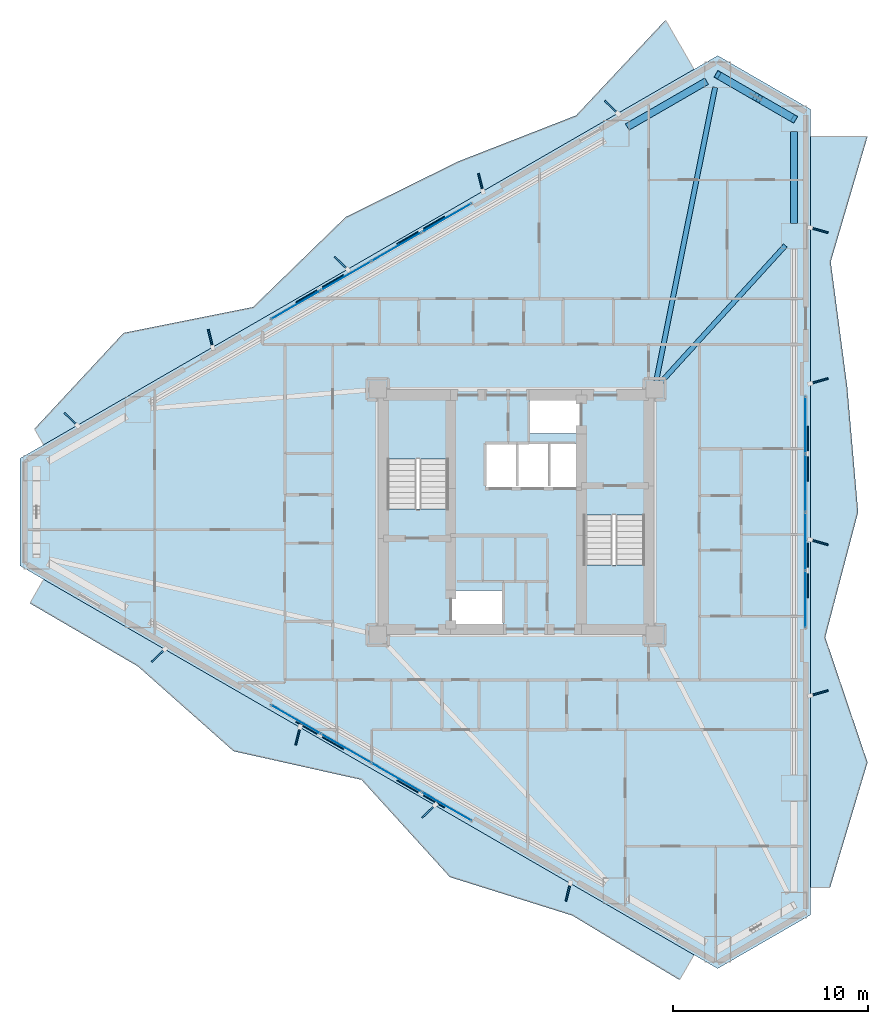
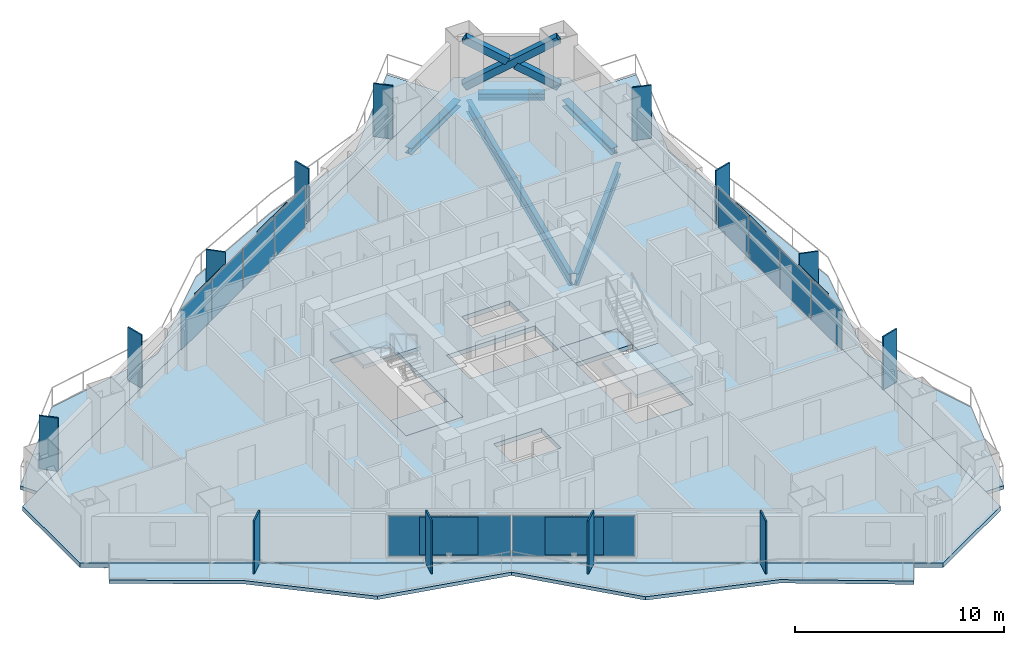
# One storey, part 10 of 19: 31 plates, 8 slabs, 5 beams, 3 members, 5 elements without a shape of their own.
"""IFC4 building model written with IfcOpenShell, lengths in metres."""

from ifc_helpers import new_model, si_unit, direction, frame, origin, origin_2d, place, context, subcontext, project, spatial, polyline, rectangle, hollow_rectangle, i_section, outline, extrude, material, layer, layer_set, material_profile, profile_set, type_object, element, aggregate, save


model = new_model("IFC4")

# Units and contexts
model_context = context("Model", 3, precision=1e-05, world=origin(), true_north=direction((0.0, 1.0)))
body_context = subcontext(model_context, "Body", "Model", "MODEL_VIEW")
ifc_project = project(units=[si_unit("LENGTHUNIT", "METRE"), si_unit("AREAUNIT", "SQUARE_METRE"), si_unit("VOLUMEUNIT", "CUBIC_METRE"), si_unit("PLANEANGLEUNIT", "RADIAN"), si_unit("MASSUNIT", "GRAM", prefix="KILO")], contexts=[model_context])

# Site, building, storey
site_placement = place(None, origin())
site = spatial("IfcSite", under=ifc_project, at=site_placement, CompositionType="ELEMENT")
building_placement = place(site_placement, origin())
building = spatial("IfcBuilding", under=site, at=building_placement, Name="Mersakhor Tower and Convention Hall", CompositionType="ELEMENT")
storey_placement = place(building_placement, frame((0.0, 0.0, 29.10009765625)))
storey = spatial("IfcBuildingStorey", under=building, at=storey_placement, Name="L07", CompositionType="ELEMENT", Elevation=29.10009765625)

# Beams
ifc_material_1 = material(Name="Steel S355", Category="steel")
ifc_material_profile_1 = material_profile(ifc_material_1, i_section(OverallWidth=0.25439453125, OverallDepth=0.6875, WebThickness=0.01318359375, FlangeThickness=0.02099609375, at=origin_2d()), Name="UB 686x254x152")
ifc_profile_set_1 = profile_set([ifc_material_profile_1], Name="Steel S355")
beam_type_1 = type_object("IfcBeamType", Name="BM-PR-686", PredefinedType="BEAM", material=ifc_profile_set_1)
beam_1_placement = place(storey_placement, frame((36.1845703125, 33.4716796875, -0.60400390625), z_axis=(0.196849718138, 0.980433673672, 0.0), x_axis=(-0.980433673672, 0.196849718138, 0.0)))
element("IfcBeam", 1, at=beam_1_placement, inside=storey, type_object=beam_type_1, Name="L07 Primary Floor Girder FG-2", PredefinedType="BEAM", context=body_context, shape_type="SweptSolid", body=[
    extrude(i_section(OverallWidth=0.25439453125, OverallDepth=0.6875, WebThickness=0.01318359375, FlangeThickness=0.02099609375, at=origin_2d()), origin(), (0.0, 0.0, 1.0), 15.359130859375),
])
beam_2_placement = place(storey_placement, frame((36.389404296875, 33.367919921875, -0.60400390625), z_axis=(0.67316322447, 0.739493930483, 0.0), x_axis=(-0.739493930483, 0.67316322447, 0.0)))
element("IfcBeam", 2, at=beam_2_placement, inside=storey, type_object=beam_type_1, Name="L07 Primary Floor Girder FG-3", PredefinedType="BEAM", context=body_context, shape_type="SweptSolid", body=[
    extrude(i_section(OverallWidth=0.25439453125, OverallDepth=0.6875, WebThickness=0.01318359375, FlangeThickness=0.02099609375, at=origin_2d()), origin(), (0.0, 0.0, 1.0), 9.53662109375),
])
ifc_material_2 = material(Name="Steel S355", Category="steel")
ifc_material_profile_2 = material_profile(ifc_material_2, i_section(OverallWidth=0.374755859375, OverallDepth=0.37451171875, WebThickness=0.0166015625, FlangeThickness=0.027099609375, at=origin_2d()), Name="UC 356x368x202")
ifc_profile_set_2 = profile_set([ifc_material_profile_2], Name="Steel S355")
beam_type_2 = type_object("IfcBeamType", Name="BM-SPD-UC356", PredefinedType="SPANDREL", material=ifc_profile_set_2)
beam_3_placement = place(storey_placement, frame((34.700439453125, 46.49560546875, -0.447509765625), z_axis=(0.866031574723, 0.499989311469, 0.0), x_axis=(-0.499989311469, 0.866031574723, 0.0)))
element("IfcBeam", 3, at=beam_3_placement, inside=storey, type_object=beam_type_2, Name="L07 Perimeter Spandrel Beam SPB-03", PredefinedType="SPANDREL", context=body_context, shape_type="SweptSolid", body=[
    extrude(i_section(OverallWidth=0.374755859375, OverallDepth=0.37451171875, WebThickness=0.0166015625, FlangeThickness=0.027099609375, at=origin_2d()), origin(), (0.0, 0.0, 1.0), 4.69873046875),
])
beam_4_placement = place(storey_placement, frame((39.904052734375, 48.844970703125, -0.447509765625), z_axis=(0.866038607556, -0.4999771297, 0.0), x_axis=(0.4999771297, 0.866038607556, 0.0)))
element("IfcBeam", 4, at=beam_4_placement, inside=storey, type_object=beam_type_2, Name="L07 Perimeter Spandrel Beam SPB-04", PredefinedType="SPANDREL", context=body_context, shape_type="SweptSolid", body=[
    extrude(i_section(OverallWidth=0.374755859375, OverallDepth=0.37451171875, WebThickness=0.0166015625, FlangeThickness=0.027099609375, at=origin_2d()), origin(), (0.0, 0.0, 1.0), 3.208740234375),
])
beam_5_placement = place(storey_placement, frame((43.25, 46.25830078125, -0.447509765625), z_axis=(0.0, -1.0, 0.0), x_axis=(1.0, 0.0, 0.0)))
element("IfcBeam", 5, at=beam_5_placement, inside=storey, type_object=beam_type_2, Name="L07 Perimeter Spandrel Beam SPB-05", PredefinedType="SPANDREL", context=body_context, shape_type="SweptSolid", body=[
    extrude(i_section(OverallWidth=0.374755859375, OverallDepth=0.37451171875, WebThickness=0.0166015625, FlangeThickness=0.027099609375, at=origin_2d()), origin(), (0.0, 0.0, 1.0), 4.69873046875),
])

# Members
ifc_material_3 = material(Name="Steel S460", Category="steel")
ifc_material_profile_3 = material_profile(ifc_material_3, hollow_rectangle(XDim=0.39990234375, YDim=0.39990234375, WallThickness=0.02490234375, at=origin_2d()), Name="SHS 400x400x25")
ifc_profile_set_3 = profile_set([ifc_material_profile_3], Name="Steel S460")
member_type = type_object("IfcMemberType", Name="MB-BRC-SHS400", PredefinedType="BRACE", material=ifc_profile_set_3)
member_placement = place(storey_placement, frame((39.3369140625, 49.172607421875, 0.14990234375), z_axis=(0.740507772322, -0.427542982597, 0.518512523632), x_axis=(0.500009315796, 0.86602002524, 0.0)))
element("IfcMember", 6, at=member_placement, inside=storey, type_object=member_type, Name="L07 Chamfer Braced Frame Diagonal CB-1A", PredefinedType="BRACE", context=body_context, shape_type="SweptSolid", body=[
    extrude(hollow_rectangle(XDim=0.39990234375, YDim=0.39990234375, WallThickness=0.02490234375, at=origin_2d()), origin(), (0.0, 0.0, 1.0), 5.284423828125),
])
for number, where, z_axis, x_axis, name in (
    (7, (43.25, 46.913330078125, 0.14990234375), (-0.740544200614, 0.427541122117, 0.51846202931), (-0.499989236795, -0.866031617834, 0.0), "L07 Chamfer Braced Frame Diagonal CB-1B Lower Half"),
    (8, (41.12060546875, 48.142578125, 1.64111328125), (-0.740512106644, 0.427623949895, 0.518439560017), (-0.500078132948, -0.865980289006, 0.0), "L07 Chamfer Braced Frame Diagonal CB-1B Upper Half"),
):
    element("IfcMember", number, at=place(storey_placement, frame(where, z_axis=z_axis, x_axis=x_axis)), inside=storey, type_object=member_type, Name=name, PredefinedType="BRACE", context=body_context, shape_type="SweptSolid", body=[
        extrude(hollow_rectangle(XDim=0.39990234375, YDim=0.39990234375, WallThickness=0.02490234375, at=origin_2d()), origin(), (0.0, 0.0, 1.0), 2.40869140625),
    ])

# Curtain wall, plates
ifc_material_4 = material(Name="Dark solar low-E aluminium curtain wall", Category="aluminium")
ifc_layer_1 = layer(ifc_material_4, 0.159912109375)
ifc_layer_set_1 = layer_set([ifc_layer_1], Name="Dark solar low-E aluminium curtain wall")
curtain_wall_type = type_object("IfcCurtainWallType", Name="CW-SYS-01", PredefinedType="USERDEFINED", material=ifc_layer_set_1)
curtain_wall_1_placement = place(storey_placement, origin())
curtain_wall_1 = element("IfcCurtainWall", 9, at=curtain_wall_1_placement, inside=storey, type_object=curtain_wall_type, Name="L07 Dark-Glass Curtain Wall F1-B2", ObjectType="CURTAIN WALL", PredefinedType="USERDEFINED")
ifc_material_5 = material(Name="Dark solar double glazing", Category="glass")
ifc_layer_2 = layer(ifc_material_5, 0.02392578125)
ifc_layer_set_2 = layer_set([ifc_layer_2], Name="Dark solar double glazing")
plate_type_1 = type_object("IfcPlateType", Name="CWP-GLZ-24", PredefinedType="CURTAIN_PANEL", material=ifc_layer_set_2)
plate_1_placement = place(storey_placement, frame((17.702880859375, 37.375, 0.259765625), z_axis=(0.0, 0.0, 1.0), x_axis=(0.866023412558, 0.50000344889, 0.0)))
plate_1 = element("IfcPlate", 10, at=plate_1_placement, type_object=plate_type_1, Name="CW-01 panel 1.1", PredefinedType="CURTAIN_PANEL", context=body_context, shape_type="SweptSolid", body=[
    extrude(rectangle(XDim=2.880859375, YDim=0.02392578125, at=origin_2d()), origin(), (0.0, 0.0, 1.0), 2.340087890625),
])
plate_2_placement = place(storey_placement, frame((20.27880859375, 38.862060546875, 0.259765625), z_axis=(0.0, 0.0, 1.0), x_axis=(0.866023412558, 0.50000344889, 0.0)))
plate_2 = element("IfcPlate", 11, at=plate_2_placement, type_object=plate_type_1, Name="CW-01 panel 2.1", PredefinedType="CURTAIN_PANEL", context=body_context, shape_type="SweptSolid", body=[
    extrude(rectangle(XDim=2.918212890625, YDim=0.02392578125, at=origin_2d()), origin(), (0.0, 0.0, 1.0), 2.340087890625),
])
plate_3_placement = place(storey_placement, frame((22.87109375, 40.35888671875, 0.259765625), z_axis=(0.0, 0.0, 1.0), x_axis=(0.866023412558, 0.50000344889, 0.0)))
plate_3 = element("IfcPlate", 12, at=plate_3_placement, type_object=plate_type_1, Name="CW-01 panel 3.1", PredefinedType="CURTAIN_PANEL", context=body_context, shape_type="SweptSolid", body=[
    extrude(rectangle(XDim=2.918212890625, YDim=0.02392578125, at=origin_2d()), origin(), (0.0, 0.0, 1.0), 2.340087890625),
])
plate_4_placement = place(storey_placement, frame((25.447021484375, 41.84619140625, 0.259765625), z_axis=(0.0, 0.0, 1.0), x_axis=(0.866023412558, 0.50000344889, 0.0)))
plate_4 = element("IfcPlate", 13, at=plate_4_placement, type_object=plate_type_1, Name="CW-01 panel 4.1", PredefinedType="CURTAIN_PANEL", context=body_context, shape_type="SweptSolid", body=[
    extrude(rectangle(XDim=2.880859375, YDim=0.02392578125, at=origin_2d()), origin(), (0.0, 0.0, 1.0), 2.340087890625),
])
aggregate(curtain_wall_1, [plate_1, plate_2, plate_3, plate_4])

curtain_wall_2_placement = place(storey_placement, origin())
curtain_wall_2 = element("IfcCurtainWall", 14, at=curtain_wall_2_placement, inside=storey, type_object=curtain_wall_type, Name="L07 Dark-Glass Curtain Wall F2-B2", ObjectType="CURTAIN WALL", PredefinedType="USERDEFINED")
plate_5_placement = place(storey_placement, frame((43.85009765625, 31.22119140625, 0.259765625), z_axis=(0.0, 0.0, 1.0), x_axis=(0.0, -1.0, 0.0)))
plate_5 = element("IfcPlate", 15, at=plate_5_placement, type_object=plate_type_1, Name="CW-01 panel 1.1", PredefinedType="CURTAIN_PANEL", context=body_context, shape_type="SweptSolid", body=[
    extrude(rectangle(XDim=2.880859375, YDim=0.02392578125, at=origin_2d()), origin(), (0.0, 0.0, 1.0), 2.340087890625),
])
plate_6_placement = place(storey_placement, frame((43.85009765625, 28.24658203125, 0.259765625), z_axis=(0.0, 0.0, 1.0), x_axis=(0.0, -1.0, 0.0)))
plate_6 = element("IfcPlate", 16, at=plate_6_placement, type_object=plate_type_1, Name="CW-01 panel 2.1", PredefinedType="CURTAIN_PANEL", context=body_context, shape_type="SweptSolid", body=[
    extrude(rectangle(XDim=2.918212890625, YDim=0.02392578125, at=origin_2d()), origin(), (0.0, 0.0, 1.0), 2.340087890625),
])
plate_7_placement = place(storey_placement, frame((43.85009765625, 25.25341796875, 0.259765625), z_axis=(0.0, 0.0, 1.0), x_axis=(0.0, -1.0, 0.0)))
plate_7 = element("IfcPlate", 17, at=plate_7_placement, type_object=plate_type_1, Name="CW-01 panel 3.1", PredefinedType="CURTAIN_PANEL", context=body_context, shape_type="SweptSolid", body=[
    extrude(rectangle(XDim=2.918212890625, YDim=0.02392578125, at=origin_2d()), origin(), (0.0, 0.0, 1.0), 2.340087890625),
])
plate_8_placement = place(storey_placement, frame((43.85009765625, 22.27880859375, 0.259765625), z_axis=(0.0, 0.0, 1.0), x_axis=(0.0, -1.0, 0.0)))
plate_8 = element("IfcPlate", 18, at=plate_8_placement, type_object=plate_type_1, Name="CW-01 panel 4.1", PredefinedType="CURTAIN_PANEL", context=body_context, shape_type="SweptSolid", body=[
    extrude(rectangle(XDim=2.880859375, YDim=0.02392578125, at=origin_2d()), origin(), (0.0, 0.0, 1.0), 2.340087890625),
])
aggregate(curtain_wall_2, [plate_5, plate_6, plate_7, plate_8])

curtain_wall_3_placement = place(storey_placement, origin())
curtain_wall_3 = element("IfcCurtainWall", 19, at=curtain_wall_3_placement, inside=storey, type_object=curtain_wall_type, Name="L07 Dark-Glass Curtain Wall F3-B2", ObjectType="CURTAIN WALL", PredefinedType="USERDEFINED")
plate_9_placement = place(storey_placement, frame((25.447021484375, 11.65380859375, 0.259765625), z_axis=(0.0, 0.0, 1.0), x_axis=(-0.866023412558, 0.50000344889, 0.0)))
plate_9 = element("IfcPlate", 20, at=plate_9_placement, type_object=plate_type_1, Name="CW-01 panel 1.1", PredefinedType="CURTAIN_PANEL", context=body_context, shape_type="SweptSolid", body=[
    extrude(rectangle(XDim=2.880859375, YDim=0.02392578125, at=origin_2d()), origin(), (0.0, 0.0, 1.0), 2.340087890625),
])
plate_10_placement = place(storey_placement, frame((22.87109375, 13.14111328125, 0.259765625), z_axis=(0.0, 0.0, 1.0), x_axis=(-0.866023412558, 0.50000344889, 0.0)))
plate_10 = element("IfcPlate", 21, at=plate_10_placement, type_object=plate_type_1, Name="CW-01 panel 2.1", PredefinedType="CURTAIN_PANEL", context=body_context, shape_type="SweptSolid", body=[
    extrude(rectangle(XDim=2.918212890625, YDim=0.02392578125, at=origin_2d()), origin(), (0.0, 0.0, 1.0), 2.340087890625),
])
plate_11_placement = place(storey_placement, frame((20.27880859375, 14.637939453125, 0.259765625), z_axis=(0.0, 0.0, 1.0), x_axis=(-0.866023412558, 0.50000344889, 0.0)))
plate_11 = element("IfcPlate", 22, at=plate_11_placement, type_object=plate_type_1, Name="CW-01 panel 3.1", PredefinedType="CURTAIN_PANEL", context=body_context, shape_type="SweptSolid", body=[
    extrude(rectangle(XDim=2.918212890625, YDim=0.02392578125, at=origin_2d()), origin(), (0.0, 0.0, 1.0), 2.340087890625),
])
plate_12_placement = place(storey_placement, frame((17.702880859375, 16.125, 0.259765625), z_axis=(0.0, 0.0, 1.0), x_axis=(-0.866023412558, 0.50000344889, 0.0)))
plate_12 = element("IfcPlate", 23, at=plate_12_placement, type_object=plate_type_1, Name="CW-01 panel 4.1", PredefinedType="CURTAIN_PANEL", context=body_context, shape_type="SweptSolid", body=[
    extrude(rectangle(XDim=2.880859375, YDim=0.02392578125, at=origin_2d()), origin(), (0.0, 0.0, 1.0), 2.340087890625),
])
aggregate(curtain_wall_3, [plate_9, plate_10, plate_11, plate_12])

# Plates
ifc_material_6 = material(Name="Ceramic-clad aluminium Zone 1 cobalt-slate", Category="masonry")
ifc_material_7 = material(Name="Ceramic-clad aluminium Zone 1 cobalt-slate", Category="masonry")
ifc_layer_3 = layer(ifc_material_7, 0.080078125)
ifc_layer_set_3 = layer_set([ifc_layer_3], Name="Ceramic-clad aluminium Zone 1 cobalt-slate")
plate_type_2 = type_object("IfcPlateType", Name="PL-FIN-80", PredefinedType="USERDEFINED", material=ifc_layer_set_3)
for number, where, z_axis, x_axis, name in (
    (24, (6.17578125, 31.5126953125, -0.000244140625), (0.0, 0.0, 1.0), (-0.719339800339, 0.694658370459, 0.0), "L07 Zone 1 Coloured Brise-Soleil Fin F1-1"),
    (25, (13.330810546875, 35.6435546875, -0.000244140625), (0.0, 0.0, 1.0), (-0.2419218956, 0.970295726276, 0.0), "L07 Zone 1 Coloured Brise-Soleil Fin F1-2"),
    (26, (20.0322265625, 39.5126953125, -0.000244140625), (0.0, 0.0, 1.0), (-0.719339800339, 0.694658370459, 0.0), "L07 Zone 1 Coloured Brise-Soleil Fin F1-3"),
    (27, (27.187255859375, 43.6435546875, -0.000244140625), (0.0, 0.0, 1.0), (-0.2419218956, 0.970295726276, 0.0), "L07 Zone 1 Coloured Brise-Soleil Fin F1-4"),
    (28, (33.888671875, 47.5126953125, -0.000244140625), (0.0, 0.0, 1.0), (-0.719339800339, 0.694658370459, 0.0), "L07 Zone 1 Coloured Brise-Soleil Fin F1-5"),
    (29, (44.53662109375, 41.206298828125, -0.000244140625), (0.0, 0.0, 1.0), (0.961261695938, -0.275637355817, 0.0), "L07 Zone 1 Coloured Brise-Soleil Fin F2-1"),
    (30, (44.53662109375, 33.46826171875, -0.000244140625), (0.0, 0.0, 1.0), (0.961261695938, 0.275637355817, 0.0), "L07 Zone 1 Coloured Brise-Soleil Fin F2-2"),
    (31, (44.53662109375, 25.206298828125, -0.000244140625), (0.0, 0.0, 1.0), (0.961261695938, -0.275637355817, 0.0), "L07 Zone 1 Coloured Brise-Soleil Fin F2-3"),
    (32, (44.53662109375, 17.46826171875, -0.000244140625), (0.0, 0.0, 1.0), (0.961261695938, 0.275637355817, 0.0), "L07 Zone 1 Coloured Brise-Soleil Fin F2-4"),
    (33, (31.668701171875, 7.26904296875, -0.000244140625), (0.0, 0.0, 1.0), (-0.2419218956, -0.970295726276, 0.0), "L07 Zone 1 Coloured Brise-Soleil Fin F3-1"),
    (34, (24.513671875, 11.39990234375, -0.000244140625), (0.0, 0.0, 1.0), (-0.719339800339, -0.694658370459, 0.0), "L07 Zone 1 Coloured Brise-Soleil Fin F3-2"),
    (35, (17.812255859375, 15.26904296875, -0.000244140625), (0.0, 0.0, 1.0), (-0.2419218956, -0.970295726276, 0.0), "L07 Zone 1 Coloured Brise-Soleil Fin F3-3"),
    (36, (10.6572265625, 19.39990234375, -0.000244140625), (0.0, 0.0, 1.0), (-0.719339800339, -0.694658370459, 0.0), "L07 Zone 1 Coloured Brise-Soleil Fin F3-4"),
):
    element("IfcPlate", number, at=place(storey_placement, frame(where, z_axis=z_axis, x_axis=x_axis)), inside=storey, type_object=plate_type_2, material=ifc_material_6, Name=name, ObjectType="FIN", PredefinedType="USERDEFINED", context=body_context, shape_type="SweptSolid", body=[
        extrude(rectangle(XDim=0.949951171875, YDim=0.080078125, at=origin_2d()), origin(), (0.0, 0.0, 1.0), 3.10009765625),
    ])
ifc_material_8 = material(Name="Perforated ceramic cobogo solar screen", Category="aluminium")
ifc_layer_4 = layer(ifc_material_8, 0.055908203125)
ifc_layer_set_4 = layer_set([ifc_layer_4], Name="Perforated ceramic cobogo solar screen")
plate_type_3 = type_object("IfcPlateType", Name="PL-SCR-56", PredefinedType="USERDEFINED", material=ifc_layer_set_4)
for number, where, z_axis, x_axis, name in (
    (37, (18.933837890625, 38.19873046875, 0.39990234375), (0.0, 0.0, 1.0), (0.866025403784, 0.5, 0.0), "L07 Perforated Ceramic Solar Screen F1-1"),
    (38, (24.118408203125, 41.19189453125, 0.39990234375), (0.0, 0.0, 1.0), (0.866025403784, 0.5, 0.0), "L07 Perforated Ceramic Solar Screen F1-2"),
    (39, (43.947998046875, 29.743408203125, 0.39990234375), (0.0, 0.0, 1.0), (0.0, -1.0, 0.0), "L07 Perforated Ceramic Solar Screen F2-1"),
    (40, (43.947998046875, 23.756591796875, 0.39990234375), (0.0, 0.0, 1.0), (0.0, -1.0, 0.0), "L07 Perforated Ceramic Solar Screen F2-2"),
    (41, (24.1181640625, 12.30810546875, 0.39990234375), (0.0, 0.0, 1.0), (-0.866025403784, 0.5, 0.0), "L07 Perforated Ceramic Solar Screen F3-1"),
    (42, (18.93359375, 15.30126953125, 0.39990234375), (0.0, 0.0, 1.0), (-0.866025403784, 0.5, 0.0), "L07 Perforated Ceramic Solar Screen F3-2"),
):
    element("IfcPlate", number, at=place(storey_placement, frame(where, z_axis=z_axis, x_axis=x_axis)), inside=storey, type_object=plate_type_3, Name=name, ObjectType="SCREEN", PredefinedType="USERDEFINED", context=body_context, shape_type="SweptSolid", body=[
        extrude(rectangle(XDim=2.800048828125, YDim=0.055908203125, at=origin_2d()), origin(), (0.0, 0.0, 1.0), 2.2099609375),
    ])

# Slabs
ifc_material_9 = material(Name="Concrete C45/55", Category="concrete")
ifc_layer_5 = layer(ifc_material_9, 0.199951171875)
ifc_layer_set_5 = layer_set([ifc_layer_5], Name="Concrete C45/55")
slab_type_1 = type_object("IfcSlabType", Name="SL-BAL-200", PredefinedType="FLOOR", material=ifc_layer_set_5)
slab_1_placement = place(storey_placement, frame((0.0, 0.0, -0.2001953125)))
element("IfcSlab", 43, at=slab_1_placement, inside=storey, type_object=slab_type_1, Name="L07 Sinusoidal Balcony Slab Face 1", PredefinedType="FLOOR", context=body_context, shape_type="SweptSolid", body=[
    extrude(outline(polyline([(4.775390625, 30.199951171875), (38.12451171875, 49.4541015625), (36.66455078125, 51.98291015625), (32.07861328125, 47.089599609375), (26.030517578125, 44.7294921875), (20.263916015625, 41.88134765625), (15.516845703125, 37.267578125), (8.873779296875, 35.937744140625), (4.30322265625, 31.017822265625), (4.775390625, 30.199951171875)])), origin(), (0.0, 0.0, 1.0), 0.2001953125),
])
slab_2_placement = place(storey_placement, frame((0.0, 0.0, -0.2001953125)))
element("IfcSlab", 44, at=slab_2_placement, inside=storey, type_object=slab_type_1, Name="L07 Sinusoidal Balcony Slab Face 2", PredefinedType="FLOOR", context=body_context, shape_type="SweptSolid", body=[
    extrude(outline(polyline([(44.10009765625, 46.00390625), (44.10009765625, 7.49609375), (45.099365234375, 7.49609375), (47.02001953125, 13.9140625), (44.85009765625, 20.33203125), (46.537353515625, 26.75), (45.98046875, 33.16796875), (45.1318359375, 39.5859375), (47.02001953125, 46.00390625), (44.10009765625, 46.00390625)])), origin(), (0.0, 0.0, 1.0), 0.2001953125),
])
slab_3_placement = place(storey_placement, frame((0.0, 0.0, -0.2001953125)))
element("IfcSlab", 45, at=slab_3_placement, inside=storey, type_object=slab_type_1, Name="L07 Sinusoidal Balcony Slab Face 3", PredefinedType="FLOOR", context=body_context, shape_type="SweptSolid", body=[
    extrude(outline(polyline([(38.12451171875, 4.0458984375), (4.775390625, 23.300048828125), (4.068115234375, 22.07470703125), (9.61083984375, 18.839111328125), (14.510986328125, 14.490478515625), (21.074951171875, 13.0234375), (25.60546875, 8.034423828125), (31.879150390625, 6.064697265625), (37.381103515625, 2.75830078125), (38.12451171875, 4.0458984375)])), origin(), (0.0, 0.0, 1.0), 0.2001953125),
])
ifc_material_10 = material(Name="Concrete C45/55", Category="concrete")
ifc_layer_6 = layer(ifc_material_10, 0.260009765625)
ifc_layer_set_6 = layer_set([ifc_layer_6], Name="Concrete C45/55")
slab_type_2 = type_object("IfcSlabType", Name="SL-FLR-260", PredefinedType="FLOOR", material=ifc_layer_set_6)
slab_4_placement = place(storey_placement, frame((0.0, 0.0, -0.260009765625)))
element("IfcSlab", 46, at=slab_4_placement, inside=storey, type_object=slab_type_2, Name="L07 ST-1 Structural Stair Floor Landing", PredefinedType="LANDING", context=body_context, shape_type="SweptSolid", body=[
    extrude(outline(polyline([(25.550048828125, 25.39990234375), (25.550048828125, 26.89990234375), (22.39990234375, 26.89990234375), (22.39990234375, 25.39990234375), (25.550048828125, 25.39990234375)])), origin(), (0.0, 0.0, 1.0), 0.260009765625),
])
slab_5_placement = place(storey_placement, frame((0.0, 0.0, -0.260009765625)))
element("IfcSlab", 47, at=slab_5_placement, inside=storey, type_object=slab_type_2, Name="L07 ST-2 Structural Stair Floor Landing", PredefinedType="LANDING", context=body_context, shape_type="SweptSolid", body=[
    extrude(outline(polyline([(32.449951171875, 28.10009765625), (32.449951171875, 26.60009765625), (35.60009765625, 26.60009765625), (35.60009765625, 28.10009765625), (32.449951171875, 28.10009765625)])), origin(), (0.0, 0.0, 1.0), 0.260009765625),
])
slab_6_placement = place(storey_placement, frame((0.0, 0.0, -0.260009765625)))
element("IfcSlab", 48, at=slab_6_placement, inside=storey, type_object=slab_type_2, Name="Tower L07 Structural Floor Slab", PredefinedType="FLOOR", context=body_context, shape_type="SweptSolid", body=[
    extrude(outline(polyline([(3.56298828125, 29.5), (39.3369140625, 50.154052734375), (44.10009765625, 47.404052734375), (44.10009765625, 6.095947265625), (39.3369140625, 3.345947265625), (3.56298828125, 24.0), (3.56298828125, 29.5)]), holes=[polyline([(25.550048828125, 25.39990234375), (25.550048828125, 32.699951171875), (22.39990234375, 32.699951171875), (22.39990234375, 25.39990234375), (25.550048828125, 25.39990234375)]), polyline([(32.449951171875, 28.10009765625), (32.449951171875, 20.800048828125), (35.60009765625, 20.800048828125), (35.60009765625, 28.10009765625), (32.449951171875, 28.10009765625)]), polyline([(25.679931640625, 20.820068359375), (25.679931640625, 22.719970703125), (28.320068359375, 22.719970703125), (28.320068359375, 20.820068359375), (25.679931640625, 20.820068359375)]), polyline([(29.679931640625, 30.780029296875), (29.679931640625, 32.679931640625), (32.320068359375, 32.679931640625), (32.320068359375, 30.780029296875), (29.679931640625, 30.780029296875)]), polyline([(27.429931640625, 28.0), (27.429931640625, 30.25), (32.320068359375, 30.25), (32.320068359375, 28.0), (27.429931640625, 28.0)])]), origin(), (0.0, 0.0, 1.0), 0.260009765625),
])

# Stair, slab
ifc_material_11 = material(Name="Concrete C45/55", Category="concrete")
stair_type = type_object("IfcStairType", Name="ST-TWR-20R", PredefinedType="HALF_TURN_STAIR", material=ifc_material_11)
stair_1_placement = place(storey_placement, origin())
stair_1 = element("IfcStair", 49, at=stair_1_placement, inside=storey, type_object=stair_type, Name="L07 Tower Protected Exit Stair ST-1", PredefinedType="HALF_TURN_STAIR")
ifc_material_12 = material(Name="Concrete C45/55", Category="concrete")
ifc_layer_7 = layer(ifc_material_12, 0.199951171875)
ifc_layer_set_7 = layer_set([ifc_layer_7], Name="Concrete C45/55")
slab_type_3 = type_object("IfcSlabType", Name="SL-LAND-200", PredefinedType="LANDING", material=ifc_layer_set_7)
slab_7_placement = place(storey_placement, frame((0.0, 0.0, 1.449951171875)))
slab_7 = element("IfcSlab", 50, at=slab_7_placement, type_object=slab_type_3, Name="ST-1 landing 1", PredefinedType="LANDING", context=body_context, shape_type="SweptSolid", body=[
    extrude(outline(polyline([(25.550048828125, 29.465087890625), (25.550048828125, 32.699951171875), (22.39990234375, 32.699951171875), (22.39990234375, 29.465087890625), (25.550048828125, 29.465087890625)])), origin(), (0.0, 0.0, 1.0), 0.199951171875),
])
aggregate(stair_1, [slab_7])

stair_2_placement = place(storey_placement, origin())
stair_2 = element("IfcStair", 51, at=stair_2_placement, inside=storey, type_object=stair_type, Name="L07 Tower Protected Exit Stair ST-2", PredefinedType="HALF_TURN_STAIR")
slab_8_placement = place(storey_placement, frame((0.0, 0.0, 1.449951171875)))
slab_8 = element("IfcSlab", 52, at=slab_8_placement, type_object=slab_type_3, Name="ST-2 landing 1", PredefinedType="LANDING", context=body_context, shape_type="SweptSolid", body=[
    extrude(outline(polyline([(32.449951171875, 24.034912109375), (32.449951171875, 20.800048828125), (35.60009765625, 20.800048828125), (35.60009765625, 24.034912109375), (32.449951171875, 24.034912109375)])), origin(), (0.0, 0.0, 1.0), 0.199951171875),
])
aggregate(stair_2, [slab_8])

save(model, "model.ifc")
